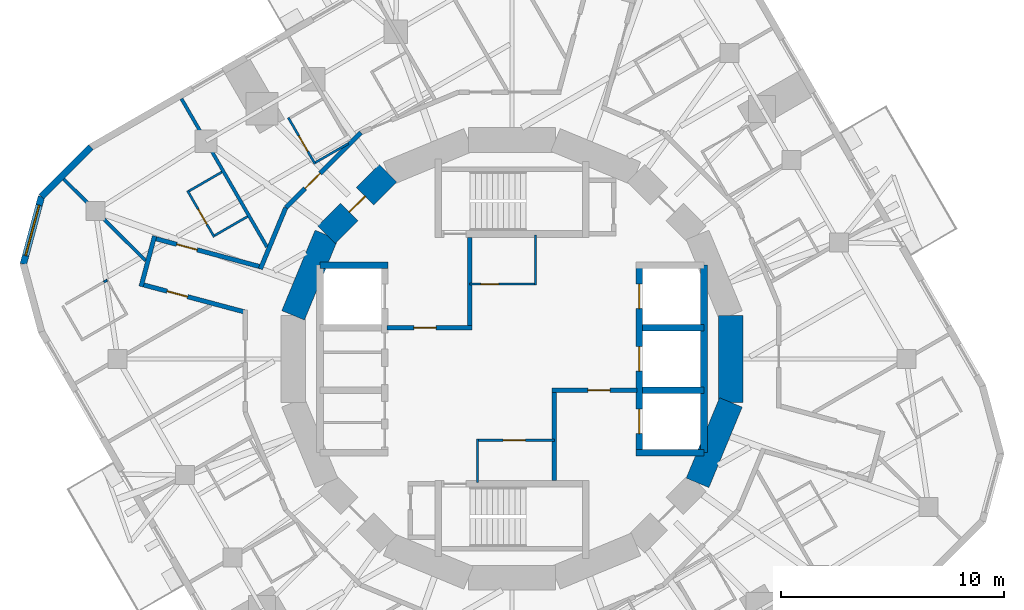
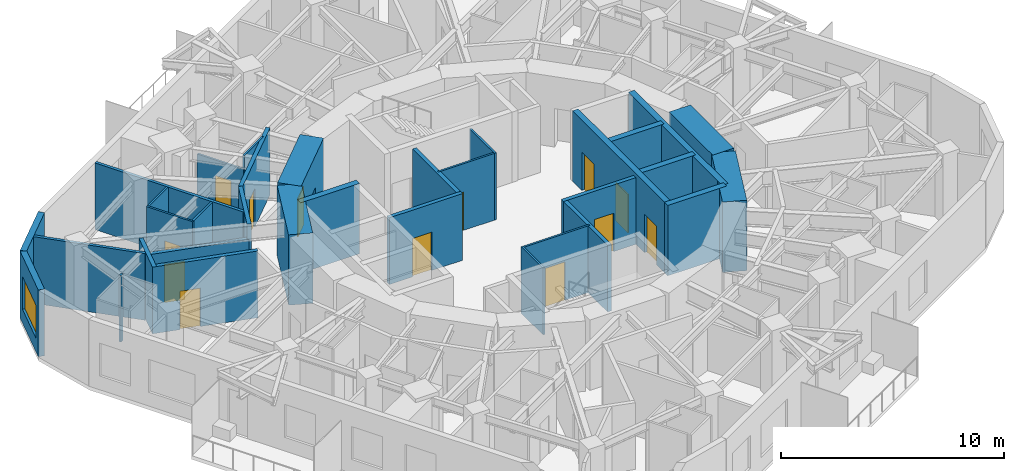
# One storey, part 6 of 11: 33 walls, 13 doors, 1 window, 14 openings.
"""IFC4 building model written with IfcOpenShell, lengths in metres."""

from ifc_helpers import new_model, si_unit, direction, frame, frame_2d, origin, place, context, subcontext, project, spatial, rectangle, extrude, material, layer, layer_set, type_object, element, fill, save


model = new_model("IFC4")

# Units and contexts
model_context = context("Model", 3, precision=1e-05, world=origin(), true_north=direction((0.0, 1.0)))
body_context = subcontext(model_context, "Body", "Model", "MODEL_VIEW")
ifc_project = project(units=[si_unit("LENGTHUNIT", "METRE"), si_unit("AREAUNIT", "SQUARE_METRE"), si_unit("VOLUMEUNIT", "CUBIC_METRE"), si_unit("PLANEANGLEUNIT", "RADIAN"), si_unit("MASSUNIT", "GRAM", prefix="KILO")], contexts=[model_context])

# Site, building, storey
site_placement = place(None, origin())
site = spatial("IfcSite", under=ifc_project, at=site_placement, CompositionType="ELEMENT")
building_placement = place(site_placement, origin())
building = spatial("IfcBuilding", under=site, at=building_placement, Name="Nakasero Lantern House", CompositionType="ELEMENT")
storey_placement = place(building_placement, frame((0.0, 0.0, 250.050048828125)))
storey = spatial("IfcBuildingStorey", under=building, at=storey_placement, Name="L61", CompositionType="ELEMENT", Elevation=250.050048828125)

# Wall, openings, doors
ifc_material_1 = material(Name="Concrete C50/60", Category="concrete")
ifc_layer_1 = layer(ifc_material_1, 0.300048828125)
ifc_layer_set_1 = layer_set([ifc_layer_1], Name="Core inner wall 300")
wall_type_1 = type_object("IfcWallType", Name="Core inner wall 300", PredefinedType="SHEAR", material=ifc_layer_set_1)
wall_1_placement = place(storey_placement, frame((5.699951171875, -4.199951171875, 0.0), z_axis=(0.0, 0.0, 1.0), x_axis=(0.0, 1.0, 0.0)))
wall_1 = element("IfcWall", 1, at=wall_1_placement, inside=storey, type_object=wall_type_1, Name="Core inner wall L61 LE", PredefinedType="SHEAR", context=body_context, shape_type="SweptSolid", body=[
    extrude(rectangle(XDim=8.39990234375, YDim=0.300048828125, at=frame_2d((4.199951171875, 0.0))), origin(), (0.0, 0.0, 1.0), 3.849853515625),
])
opening_1_placement = place(wall_1_placement, frame((0.85009765625, 0.0, 0.0)))
opening_1 = element("IfcOpeningElement", 2, at=opening_1_placement, cuts=wall_1, Name="Opening LD", PredefinedType="OPENING", context=body_context, shape_type="SweptSolid", body=[
    extrude(rectangle(XDim=1.10009765625, YDim=2.10009765625, at=frame_2d((0.550048828125, 1.050048828125))), frame((0.0, 0.169921875, 0.0), z_axis=(0.0, -1.0, 0.0), x_axis=(1.0, 0.0, 0.0)), (0.0, 0.0, 1.0), 0.340087890625),
])
opening_2_placement = place(wall_1_placement, frame((3.64990234375, 0.0, 0.0)))
opening_2 = element("IfcOpeningElement", 3, at=opening_2_placement, cuts=wall_1, Name="Opening LD", PredefinedType="OPENING", context=body_context, shape_type="SweptSolid", body=[
    extrude(rectangle(XDim=1.10009765625, YDim=2.10009765625, at=frame_2d((0.550048828125, 1.050048828125))), frame((0.0, 0.169921875, 0.0), z_axis=(0.0, -1.0, 0.0), x_axis=(1.0, 0.0, 0.0)), (0.0, 0.0, 1.0), 0.340087890625),
])
opening_3_placement = place(wall_1_placement, frame((6.449951171875, 0.0, 0.0)))
opening_3 = element("IfcOpeningElement", 4, at=opening_3_placement, cuts=wall_1, Name="Opening LD", PredefinedType="OPENING", context=body_context, shape_type="SweptSolid", body=[
    extrude(rectangle(XDim=1.10009765625, YDim=2.10009765625, at=frame_2d((0.550048828125, 1.050048828125))), frame((0.0, 0.169921875, 0.0), z_axis=(0.0, -1.0, 0.0), x_axis=(1.0, 0.0, 0.0)), (0.0, 0.0, 1.0), 0.340087890625),
])
ifc_material_2 = material(Name="Steel S355", Category="steel")
door_type_1 = type_object("IfcDoorType", Name="Lift landing door E120 1100", OperationType="SLIDING_TO_LEFT", PredefinedType="DOOR", material=ifc_material_2)
door_1_placement = place(opening_1_placement, origin())
door_1 = element("IfcDoor", 5, at=door_1_placement, inside=storey, type_object=door_type_1, Name="Lift landing door LE1", OperationType="SLIDING_TO_LEFT", OverallHeight=2.10009765625, OverallWidth=1.10009765625, PredefinedType="DOOR", context=body_context, shape_type="SweptSolid", body=[
    extrude(rectangle(XDim=1.10009765625, YDim=2.10009765625, at=frame_2d((0.550048828125, 1.050048828125))), frame((0.0, 0.02490234375, 0.0), z_axis=(0.0, -1.0, 0.0), x_axis=(1.0, 0.0, 0.0)), (0.0, 0.0, 1.0), 0.050048828125),
])
fill(opening_1, door_1)
door_2_placement = place(opening_2_placement, origin())
door_2 = element("IfcDoor", 6, at=door_2_placement, inside=storey, type_object=door_type_1, Name="Lift landing door LE2", OperationType="SLIDING_TO_LEFT", OverallHeight=2.10009765625, OverallWidth=1.10009765625, PredefinedType="DOOR", context=body_context, shape_type="SweptSolid", body=[
    extrude(rectangle(XDim=1.10009765625, YDim=2.10009765625, at=frame_2d((0.550048828125, 1.050048828125))), frame((0.0, 0.02490234375, 0.0), z_axis=(0.0, -1.0, 0.0), x_axis=(1.0, 0.0, 0.0)), (0.0, 0.0, 1.0), 0.050048828125),
])
fill(opening_2, door_2)
door_3_placement = place(opening_3_placement, origin())
door_3 = element("IfcDoor", 7, at=door_3_placement, inside=storey, type_object=door_type_1, Name="Lift landing door LE3", OperationType="SLIDING_TO_LEFT", OverallHeight=2.10009765625, OverallWidth=1.10009765625, PredefinedType="DOOR", context=body_context, shape_type="SweptSolid", body=[
    extrude(rectangle(XDim=1.10009765625, YDim=2.10009765625, at=frame_2d((0.550048828125, 1.050048828125))), frame((0.0, 0.02490234375, 0.0), z_axis=(0.0, -1.0, 0.0), x_axis=(1.0, 0.0, 0.0)), (0.0, 0.0, 1.0), 0.050048828125),
])
fill(opening_3, door_3)

# Walls
for number, where, z_axis, x_axis, name in (
    (8, (-8.60009765625, 4.199951171875, 0.0), (0.0, 0.0, 1.0), (1.0, 0.0, 0.0), "Core inner wall L61 LWN"),
    (9, (5.550048828125, -4.199951171875, 0.0), (0.0, 0.0, 1.0), (1.0, 0.0, 0.0), "Core inner wall L61 LES"),
):
    element("IfcWall", number, at=place(storey_placement, frame(where, z_axis=z_axis, x_axis=x_axis)), inside=storey, type_object=wall_type_1, Name=name, PredefinedType="SHEAR", context=body_context, shape_type="SweptSolid", body=[
        extrude(rectangle(XDim=3.050048828125, YDim=0.300048828125, at=frame_2d((1.52490234375, 0.0))), origin(), (0.0, 0.0, 1.0), 3.849853515625),
    ])
wall_2_placement = place(storey_placement, frame((8.60009765625, -4.199951171875, 0.0), z_axis=(0.0, 0.0, 1.0), x_axis=(0.0, 1.0, 0.0)))
element("IfcWall", 10, at=wall_2_placement, inside=storey, type_object=wall_type_1, Name="Core inner wall L61 LEB", PredefinedType="SHEAR", context=body_context, shape_type="SweptSolid", body=[
    extrude(rectangle(XDim=8.39990234375, YDim=0.300048828125, at=frame_2d((4.199951171875, 0.0))), origin(), (0.0, 0.0, 1.0), 3.849853515625),
])
for number, where, z_axis, x_axis, name in (
    (11, (5.85009765625, -1.39990234375, 0.0), (0.0, 0.0, 1.0), (1.0, 0.0, 0.0), "Core inner wall L61 LE1"),
    (12, (5.85009765625, 1.39990234375, 0.0), (0.0, 0.0, 1.0), (1.0, 0.0, 0.0), "Core inner wall L61 LE2"),
):
    element("IfcWall", number, at=place(storey_placement, frame(where, z_axis=z_axis, x_axis=x_axis)), inside=storey, type_object=wall_type_1, Name=name, PredefinedType="SHEAR", context=body_context, shape_type="SweptSolid", body=[
        extrude(rectangle(XDim=2.75, YDim=0.300048828125, at=frame_2d((1.375, 0.0))), origin(), (0.0, 0.0, 1.0), 3.849853515625),
    ])

# Wall, opening, door
ifc_material_3 = material(Name="Blockwork", Category="masonry")
ifc_layer_2 = layer(ifc_material_3, 0.10009765625)
ifc_layer_set_2 = layer_set([ifc_layer_2], Name="Core room wall 100")
wall_type_2 = type_object("IfcWallType", Name="Core room wall 100", PredefinedType="PARTITIONING", material=ifc_layer_set_2)
wall_3_placement = place(storey_placement, frame((-1.89990234375, 3.35009765625, 0.0), z_axis=(0.0, 0.0, 1.0), x_axis=(1.0, 0.0, 0.0)))
wall_3 = element("IfcWall", 13, at=wall_3_placement, inside=storey, type_object=wall_type_2, Name="Core room wall L61 CR-NES", PredefinedType="PARTITIONING", context=body_context, shape_type="SweptSolid", body=[
    extrude(rectangle(XDim=3.0, YDim=0.10009765625, at=frame_2d((1.5, 0.0))), origin(), (0.0, 0.0, 1.0), 3.64990234375),
])
opening_4_placement = place(wall_3_placement, frame((0.5, 0.0, 0.0)))
opening_4 = element("IfcOpeningElement", 14, at=opening_4_placement, cuts=wall_3, Name="Opening D15", PredefinedType="OPENING", context=body_context, shape_type="SweptSolid", body=[
    extrude(rectangle(XDim=0.800048828125, YDim=2.10009765625, at=frame_2d((0.39990234375, 1.050048828125))), frame((0.0, 0.070068359375, 0.0), z_axis=(0.0, -1.0, 0.0), x_axis=(1.0, 0.0, 0.0)), (0.0, 0.0, 1.0), 0.14013671875),
])
ifc_material_4 = material(Name="Timber C24", Category="wood")
door_type_2 = type_object("IfcDoorType", Name="Cleaner's store door FD30S 800", OperationType="SINGLE_SWING_LEFT", PredefinedType="DOOR", material=ifc_material_4)
door_4_placement = place(opening_4_placement, origin())
door_4 = element("IfcDoor", 15, at=door_4_placement, inside=storey, type_object=door_type_2, Name="Door L61 D-CR-NE", OperationType="SINGLE_SWING_LEFT", OverallHeight=2.10009765625, OverallWidth=0.800048828125, PredefinedType="DOOR", context=body_context, shape_type="SweptSolid", body=[
    extrude(rectangle(XDim=0.800048828125, YDim=2.10009765625, at=frame_2d((0.39990234375, 1.050048828125))), frame((0.0, 0.02490234375, 0.0), z_axis=(0.0, -1.0, 0.0), x_axis=(1.0, 0.0, 0.0)), (0.0, 0.0, 1.0), 0.050048828125),
])
fill(opening_4, door_4)

# Wall
wall_4_placement = place(storey_placement, frame((1.050048828125, 3.300048828125, 0.0), z_axis=(0.0, 0.0, 1.0), x_axis=(0.0, 1.0, 0.0)))
element("IfcWall", 16, at=wall_4_placement, inside=storey, type_object=wall_type_2, Name="Core room wall L61 CR-NEE", PredefinedType="PARTITIONING", context=body_context, shape_type="SweptSolid", body=[
    extrude(rectangle(XDim=2.25, YDim=0.10009765625, at=frame_2d((1.125, 0.0))), origin(), (0.0, 0.0, 1.0), 3.64990234375),
])

# Wall, opening, door
wall_5_placement = place(storey_placement, frame((-1.60009765625, -3.64990234375, 0.0), z_axis=(0.0, 0.0, 1.0), x_axis=(1.0, 0.0, 0.0)))
wall_5 = element("IfcWall", 17, at=wall_5_placement, inside=storey, type_object=wall_type_2, Name="Core room wall L61 CR-SWN", PredefinedType="PARTITIONING", context=body_context, shape_type="SweptSolid", body=[
    extrude(rectangle(XDim=3.5, YDim=0.10009765625, at=frame_2d((1.75, 0.0))), origin(), (0.0, 0.0, 1.0), 3.64990234375),
])
opening_5_placement = place(wall_5_placement, frame((1.199951171875, 0.0, 0.0)))
opening_5 = element("IfcOpeningElement", 18, at=opening_5_placement, cuts=wall_5, Name="Opening D07", PredefinedType="OPENING", context=body_context, shape_type="SweptSolid", body=[
    extrude(rectangle(XDim=1.0, YDim=2.10009765625, at=frame_2d((0.5, 1.050048828125))), frame((0.0, 0.070068359375, 0.0), z_axis=(0.0, -1.0, 0.0), x_axis=(1.0, 0.0, 0.0)), (0.0, 0.0, 1.0), 0.14013671875),
])
ifc_material_5 = material(Name="Timber C24", Category="wood")
door_type_3 = type_object("IfcDoorType", Name="Room door FD30S 1000", OperationType="SINGLE_SWING_LEFT", PredefinedType="DOOR", material=ifc_material_5)
door_5_placement = place(opening_5_placement, origin())
door_5 = element("IfcDoor", 19, at=door_5_placement, inside=storey, type_object=door_type_3, Name="Door L61 D-CR-SW", OperationType="SINGLE_SWING_LEFT", OverallHeight=2.10009765625, OverallWidth=1.0, PredefinedType="DOOR", context=body_context, shape_type="SweptSolid", body=[
    extrude(rectangle(XDim=1.0, YDim=2.10009765625, at=frame_2d((0.5, 1.050048828125))), frame((0.0, 0.02490234375, 0.0), z_axis=(0.0, -1.0, 0.0), x_axis=(1.0, 0.0, 0.0)), (0.0, 0.0, 1.0), 0.050048828125),
])
fill(opening_5, door_5)

# Wall
wall_6_placement = place(storey_placement, frame((-1.550048828125, -5.550048828125, 0.0), z_axis=(0.0, 0.0, 1.0), x_axis=(0.0, 1.0, 0.0)))
element("IfcWall", 20, at=wall_6_placement, inside=storey, type_object=wall_type_2, Name="Core room wall L61 CR-SWW", PredefinedType="PARTITIONING", context=body_context, shape_type="SweptSolid", body=[
    extrude(rectangle(XDim=1.949951171875, YDim=0.10009765625, at=frame_2d((0.97509765625, 0.0))), origin(), (0.0, 0.0, 1.0), 3.64990234375),
])

# Wall, opening, door
ifc_material_6 = material(Name="Concrete C50/60", Category="concrete")
ifc_layer_3 = layer(ifc_material_6, 1.10009765625)
ifc_layer_set_3 = layer_set([ifc_layer_3], Name="Core wall 1100")
wall_type_3 = type_object("IfcWallType", Name="Core wall 1100", PredefinedType="SHEAR", material=ifc_layer_set_3)
wall_7_placement = place(storey_placement, frame((-5.5556640625, 8.314697265625, 0.0), z_axis=(0.0, 0.0, 1.0), x_axis=(-0.707106781187, -0.707106781187, 0.0)))
wall_7 = element("IfcWall", 21, at=wall_7_placement, inside=storey, type_object=wall_type_3, Name="Core wall L61 facet 6", PredefinedType="SHEAR", context=body_context, shape_type="SweptSolid", body=[
    extrude(rectangle(XDim=3.90185546875, YDim=1.10009765625, at=frame_2d((1.950927734375, 0.0))), origin(), (0.0, 0.0, 1.0), 3.849853515625),
])
opening_6_placement = place(wall_7_placement, frame((1.450927734375, 0.0, 0.0)))
opening_6 = element("IfcOpeningElement", 22, at=opening_6_placement, cuts=wall_7, Name="Opening D05", PredefinedType="OPENING", context=body_context, shape_type="SweptSolid", body=[
    extrude(rectangle(XDim=1.0, YDim=2.10009765625, at=frame_2d((0.5, 1.050048828125))), frame((0.0, 0.570068359375, 0.0), z_axis=(0.0, -1.0, 0.0), x_axis=(1.0, 0.0, 0.0)), (0.0, 0.0, 1.0), 1.14013671875),
])
ifc_material_7 = material(Name="Timber C24", Category="wood")
door_type_4 = type_object("IfcDoorType", Name="Core door FD60S 1000", OperationType="SINGLE_SWING_LEFT", PredefinedType="DOOR", material=ifc_material_7)
door_6_placement = place(opening_6_placement, origin())
door_6 = element("IfcDoor", 23, at=door_6_placement, inside=storey, type_object=door_type_4, Name="Door L61 D-CORE06", OperationType="SINGLE_SWING_LEFT", OverallHeight=2.10009765625, OverallWidth=1.0, PredefinedType="DOOR", context=body_context, shape_type="SweptSolid", body=[
    extrude(rectangle(XDim=1.0, YDim=2.10009765625, at=frame_2d((0.5, 1.050048828125))), frame((0.0, 0.02490234375, 0.0), z_axis=(0.0, -1.0, 0.0), x_axis=(1.0, 0.0, 0.0)), (0.0, 0.0, 1.0), 0.050048828125),
])
fill(opening_6, door_6)

# Walls
for number, where, z_axis, x_axis, name in (
    (24, (-8.314697265625, 5.5556640625, 0.0), (0.0, 0.0, 1.0), (-0.382690736062, -0.923876507187, 0.0), "Core wall L61 facet 7"),
    (25, (8.314697265625, -5.5556640625, 0.0), (0.0, 0.0, 1.0), (0.382690736062, 0.923876507187, 0.0), "Core wall L61 facet 15"),
    (26, (9.807861328125, -1.950927734375, 0.0), (0.0, 0.0, 1.0), (0.0, 1.0, 0.0), "Core wall L61 facet 16"),
):
    element("IfcWall", number, at=place(storey_placement, frame(where, z_axis=z_axis, x_axis=x_axis)), inside=storey, type_object=wall_type_3, Name=name, PredefinedType="SHEAR", context=body_context, shape_type="SweptSolid", body=[
        extrude(rectangle(XDim=3.90185546875, YDim=1.10009765625, at=frame_2d((1.950927734375, 0.0))), origin(), (0.0, 0.0, 1.0), 3.849853515625),
    ])
ifc_material_8 = material(Name="Blockwork", Category="masonry")
ifc_layer_4 = layer(ifc_material_8, 0.199951171875)
ifc_layer_set_4 = layer_set([ifc_layer_4], Name="Corridor wall 200")
wall_type_4 = type_object("IfcWallType", Name="Corridor wall 200", PredefinedType="PARTITIONING", material=ifc_layer_set_4)
wall_8_placement = place(storey_placement, frame((-11.275634765625, 4.025634765625, 0.0), z_axis=(0.0, 0.0, 1.0), x_axis=(0.382656259044, 0.923890787601, 0.0)))
element("IfcWall", 27, at=wall_8_placement, inside=storey, type_object=wall_type_4, Name="Corridor wall L61 RC09a", PredefinedType="PARTITIONING", context=body_context, shape_type="SweptSolid", body=[
    extrude(rectangle(XDim=2.974365234375, YDim=0.199951171875, at=frame_2d((1.4873046875, 0.0))), origin(), (0.0, 0.0, 1.0), 3.64990234375),
])

# Wall, opening, door
wall_9_placement = place(storey_placement, frame((-10.137451171875, 6.773681640625, 0.0), z_axis=(0.0, 0.0, 1.0), x_axis=(0.707106781187, 0.707106781187, 0.0)))
wall_9 = element("IfcWall", 28, at=wall_9_placement, inside=storey, type_object=wall_type_4, Name="Corridor wall L61 RC10a", PredefinedType="PARTITIONING", context=body_context, shape_type="SweptSolid", body=[
    extrude(rectangle(XDim=4.757080078125, YDim=0.199951171875, at=frame_2d((2.37841796875, 0.0))), origin(), (0.0, 0.0, 1.0), 3.64990234375),
])
opening_7_placement = place(wall_9_placement, frame((1.219970703125, 0.0, 0.0)))
opening_7 = element("IfcOpeningElement", 29, at=opening_7_placement, cuts=wall_9, Name="Opening D01", PredefinedType="OPENING", context=body_context, shape_type="SweptSolid", body=[
    extrude(rectangle(XDim=0.949951171875, YDim=2.10009765625, at=frame_2d((0.47509765625, 1.050048828125))), frame((0.0, 0.119873046875, 0.0), z_axis=(0.0, -1.0, 0.0), x_axis=(1.0, 0.0, 0.0)), (0.0, 0.0, 1.0), 0.239990234375),
])
ifc_material_9 = material(Name="Timber C24", Category="wood")
door_type_5 = type_object("IfcDoorType", Name="Bedroom door FD30S 950", OperationType="SINGLE_SWING_LEFT", PredefinedType="DOOR", material=ifc_material_9)
door_7_placement = place(opening_7_placement, origin())
door_7 = element("IfcDoor", 30, at=door_7_placement, inside=storey, type_object=door_type_5, Name="Door L61 D1-04", OperationType="SINGLE_SWING_LEFT", OverallHeight=2.10009765625, OverallWidth=0.949951171875, PredefinedType="DOOR", context=body_context, shape_type="SweptSolid", body=[
    extrude(rectangle(XDim=0.949951171875, YDim=2.10009765625, at=frame_2d((0.47509765625, 1.050048828125))), frame((0.0, 0.02490234375, 0.0), z_axis=(0.0, -1.0, 0.0), x_axis=(1.0, 0.0, 0.0)), (0.0, 0.0, 1.0), 0.050048828125),
])
fill(opening_7, door_7)

wall_10_placement = place(storey_placement, frame((-11.237060546875, 4.11865234375, 0.0), z_axis=(0.0, 0.0, 1.0), x_axis=(-0.965923565769, 0.258827481333, 0.0)))
wall_10 = element("IfcWall", 31, at=wall_10_placement, inside=storey, type_object=wall_type_4, Name="Corridor wall L61 SP1a", PredefinedType="PARTITIONING", context=body_context, shape_type="SweptSolid", body=[
    extrude(rectangle(XDim=5.07373046875, YDim=0.199951171875, at=frame_2d((2.536865234375, 0.0))), origin(), (0.0, 0.0, 1.0), 2.809326171875),
])
opening_8_placement = place(wall_10_placement, frame((2.969970703125, 0.0, 0.0)))
opening_8 = element("IfcOpeningElement", 32, at=opening_8_placement, cuts=wall_10, Name="Opening D01", PredefinedType="OPENING", context=body_context, shape_type="SweptSolid", body=[
    extrude(rectangle(XDim=0.949951171875, YDim=2.10009765625, at=frame_2d((0.47509765625, 1.050048828125))), frame((0.0, 0.119873046875, 0.0), z_axis=(0.0, -1.0, 0.0), x_axis=(1.0, 0.0, 0.0)), (0.0, 0.0, 1.0), 0.239990234375),
])
door_8_placement = place(opening_8_placement, origin())
door_8 = element("IfcDoor", 33, at=door_8_placement, inside=storey, type_object=door_type_5, Name="Door L61 D1-06", OperationType="SINGLE_SWING_RIGHT", OverallHeight=2.10009765625, OverallWidth=0.949951171875, PredefinedType="DOOR", context=body_context, shape_type="SweptSolid", body=[
    extrude(rectangle(XDim=0.949951171875, YDim=2.10009765625, at=frame_2d((0.47509765625, 1.050048828125))), frame((0.0, 0.02490234375, 0.0), z_axis=(0.0, -1.0, 0.0), x_axis=(1.0, 0.0, 0.0)), (0.0, 0.0, 1.0), 0.050048828125),
])
fill(opening_8, door_8)

wall_11_placement = place(storey_placement, frame((-11.957763671875, 2.096435546875, 0.0), z_axis=(0.0, 0.0, 1.0), x_axis=(-0.965932486884, 0.258794186145, 0.0)))
wall_11 = element("IfcWall", 34, at=wall_11_placement, inside=storey, type_object=wall_type_4, Name="Corridor wall L61 SP1b", PredefinedType="PARTITIONING", context=body_context, shape_type="SweptSolid", body=[
    extrude(rectangle(XDim=4.90087890625, YDim=0.199951171875, at=frame_2d((2.450439453125, 0.0))), origin(), (0.0, 0.0, 1.0), 3.64990234375),
])
opening_9_placement = place(wall_11_placement, frame((2.669921875, 0.0, 0.0)))
opening_9 = element("IfcOpeningElement", 35, at=opening_9_placement, cuts=wall_11, Name="Opening D01", PredefinedType="OPENING", context=body_context, shape_type="SweptSolid", body=[
    extrude(rectangle(XDim=0.949951171875, YDim=2.10009765625, at=frame_2d((0.47509765625, 1.050048828125))), frame((0.0, 0.119873046875, 0.0), z_axis=(0.0, -1.0, 0.0), x_axis=(1.0, 0.0, 0.0)), (0.0, 0.0, 1.0), 0.239990234375),
])
door_9_placement = place(opening_9_placement, origin())
door_9 = element("IfcDoor", 36, at=door_9_placement, inside=storey, type_object=door_type_5, Name="Door L61 D2-00", OperationType="SINGLE_SWING_RIGHT", OverallHeight=2.10009765625, OverallWidth=0.949951171875, PredefinedType="DOOR", context=body_context, shape_type="SweptSolid", body=[
    extrude(rectangle(XDim=0.949951171875, YDim=2.10009765625, at=frame_2d((0.47509765625, 1.050048828125))), frame((0.0, 0.02490234375, 0.0), z_axis=(0.0, -1.0, 0.0), x_axis=(1.0, 0.0, 0.0)), (0.0, 0.0, 1.0), 0.050048828125),
])
fill(opening_9, door_9)

# Wall
wall_12_placement = place(storey_placement, frame((-16.015380859375, 5.502685546875, 0.0), z_axis=(0.0, 0.0, 1.0), x_axis=(-0.258850815837, -0.965917312786, 0.0)))
element("IfcWall", 37, at=wall_12_placement, inside=storey, type_object=wall_type_4, Name="Corridor wall L61 SP1e", PredefinedType="PARTITIONING", context=body_context, shape_type="SweptSolid", body=[
    extrude(rectangle(XDim=2.340087890625, YDim=0.199951171875, at=frame_2d((1.169921875, 0.0))), origin(), (0.0, 0.0, 1.0), 3.64990234375),
])

# Wall, opening, door
ifc_material_10 = material(Name="Blockwork", Category="masonry")
ifc_layer_5 = layer(ifc_material_10, 0.10009765625)
ifc_layer_set_5 = layer_set([ifc_layer_5], Name="En-suite wall 100")
wall_type_5 = type_object("IfcWallType", Name="En-suite wall 100", PredefinedType="PARTITIONING", material=ifc_layer_set_5)
wall_13_placement = place(storey_placement, frame((-8.82421875, 8.732177734375, 0.0), z_axis=(0.0, 0.0, 1.0), x_axis=(-0.500001309137, 0.866024647952, 0.0)))
wall_13 = element("IfcWall", 38, at=wall_13_placement, inside=storey, type_object=wall_type_5, Name="En-suite wall L61 ES1-04", PredefinedType="PARTITIONING", context=body_context, shape_type="SweptSolid", body=[
    extrude(rectangle(XDim=2.39990234375, YDim=0.10009765625, at=frame_2d((1.199951171875, 0.0))), origin(), (0.0, 0.0, 1.0), 2.95703125),
])
opening_10_placement = place(wall_13_placement, frame((0.64990234375, 0.0, 0.0)))
opening_10 = element("IfcOpeningElement", 39, at=opening_10_placement, cuts=wall_13, Name="Opening D02", PredefinedType="OPENING", context=body_context, shape_type="SweptSolid", body=[
    extrude(rectangle(XDim=0.800048828125, YDim=2.10009765625, at=frame_2d((0.39990234375, 1.050048828125))), frame((0.0, 0.070068359375, 0.0), z_axis=(0.0, -1.0, 0.0), x_axis=(1.0, 0.0, 0.0)), (0.0, 0.0, 1.0), 0.14013671875),
])
ifc_material_11 = material(Name="Timber C24", Category="wood")
door_type_6 = type_object("IfcDoorType", Name="En-suite door 800", OperationType="SINGLE_SWING_RIGHT", PredefinedType="DOOR", material=ifc_material_11)
door_10_placement = place(opening_10_placement, origin())
door_10 = element("IfcDoor", 40, at=door_10_placement, inside=storey, type_object=door_type_6, Name="Door L61 DE1-04", OperationType="SINGLE_SWING_LEFT", OverallHeight=2.10009765625, OverallWidth=0.800048828125, PredefinedType="DOOR", context=body_context, shape_type="SweptSolid", body=[
    extrude(rectangle(XDim=0.800048828125, YDim=2.10009765625, at=frame_2d((0.39990234375, 1.050048828125))), frame((0.0, 0.02490234375, 0.0), z_axis=(0.0, -1.0, 0.0), x_axis=(1.0, 0.0, 0.0)), (0.0, 0.0, 1.0), 0.050048828125),
])
fill(opening_10, door_10)

# Wall
wall_14_placement = place(storey_placement, frame((-7.333740234375, 9.650390625, 0.0), z_axis=(0.0, 0.0, 1.0), x_axis=(-0.86605165483, -0.499954529098, 0.0)))
element("IfcWall", 41, at=wall_14_placement, inside=storey, type_object=wall_type_5, Name="En-suite wall L61 EI1-04", PredefinedType="PARTITIONING", context=body_context, shape_type="SweptSolid", body=[
    extrude(rectangle(XDim=1.699951171875, YDim=0.10009765625, at=frame_2d((0.85009765625, 0.0))), origin(), (0.0, 0.0, 1.0), 3.64990234375),
])

# Wall, opening, door
wall_15_placement = place(storey_placement, frame((-13.342041015625, 5.46044921875, 0.0), z_axis=(0.0, 0.0, 1.0), x_axis=(-0.500033551112, 0.866006032174, 0.0)))
wall_15 = element("IfcWall", 42, at=wall_15_placement, inside=storey, type_object=wall_type_5, Name="En-suite wall L61 ES1-06", PredefinedType="PARTITIONING", context=body_context, shape_type="SweptSolid", body=[
    extrude(rectangle(XDim=2.400146484375, YDim=0.10009765625, at=frame_2d((1.2001953125, 0.0))), origin(), (0.0, 0.0, 1.0), 3.64990234375),
])
opening_11_placement = place(wall_15_placement, frame((0.64990234375, 0.0, 0.0)))
opening_11 = element("IfcOpeningElement", 43, at=opening_11_placement, cuts=wall_15, Name="Opening D02", PredefinedType="OPENING", context=body_context, shape_type="SweptSolid", body=[
    extrude(rectangle(XDim=0.800048828125, YDim=2.10009765625, at=frame_2d((0.39990234375, 1.050048828125))), frame((0.0, 0.070068359375, 0.0), z_axis=(0.0, -1.0, 0.0), x_axis=(1.0, 0.0, 0.0)), (0.0, 0.0, 1.0), 0.14013671875),
])
door_11_placement = place(opening_11_placement, origin())
door_11 = element("IfcDoor", 44, at=door_11_placement, inside=storey, type_object=door_type_6, Name="Door L61 DE1-06", OperationType="SINGLE_SWING_LEFT", OverallHeight=2.10009765625, OverallWidth=0.800048828125, PredefinedType="DOOR", context=body_context, shape_type="SweptSolid", body=[
    extrude(rectangle(XDim=0.800048828125, YDim=2.10009765625, at=frame_2d((0.39990234375, 1.050048828125))), frame((0.0, 0.02490234375, 0.0), z_axis=(0.0, -1.0, 0.0), x_axis=(1.0, 0.0, 0.0)), (0.0, 0.0, 1.0), 0.050048828125),
])
fill(opening_11, door_11)

# Walls
for number, where, z_axis, x_axis, name in (
    (45, (-13.001708984375, 8.37060546875, 0.0), (0.0, 0.0, 1.0), (-0.86605165483, -0.499954529098, 0.0), "En-suite wall L61 EE1-06"),
    (46, (-11.8515625, 6.37890625, 0.0), (0.0, 0.0, 1.0), (-0.865989465428, -0.500062241894, 0.0), "En-suite wall L61 EI1-06"),
):
    element("IfcWall", number, at=place(storey_placement, frame(where, z_axis=z_axis, x_axis=x_axis)), inside=storey, type_object=wall_type_5, Name=name, PredefinedType="PARTITIONING", context=body_context, shape_type="SweptSolid", body=[
        extrude(rectangle(XDim=1.699951171875, YDim=0.10009765625, at=frame_2d((0.85009765625, 0.0))), origin(), (0.0, 0.0, 1.0), 3.64990234375),
    ])
wall_16_placement = place(storey_placement, frame((-18.1435546875, 3.525634765625, 0.0), z_axis=(0.0, 0.0, 1.0), x_axis=(-0.865982457891, -0.500074377092, 0.0)))
element("IfcWall", 47, at=wall_16_placement, inside=storey, type_object=wall_type_5, Name="En-suite wall L61 EI2-00R0", PredefinedType="PARTITIONING", context=body_context, shape_type="SweptSolid", body=[
    extrude(rectangle(XDim=0.16015625, YDim=0.10009765625, at=frame_2d((0.080078125, 0.0))), origin(), (0.0, 0.0, 1.0), 3.64990234375),
])
ifc_material_12 = material(Name="Aluminium rainscreen on blockwork", Category="masonry")
ifc_layer_6 = layer(ifc_material_12, 0.300048828125)
ifc_layer_set_6 = layer_set([ifc_layer_6], Name="Facade wall 300")
wall_type_6 = type_object("IfcWallType", Name="Facade wall 300", PredefinedType="SOLIDWALL", material=ifc_layer_set_6)
wall_17_placement = place(storey_placement, frame((-18.870849609375, 9.4853515625, 0.0), z_axis=(0.0, 0.0, 1.0), x_axis=(-0.707145758492, -0.707067801733, 0.0)))
element("IfcWall", 48, at=wall_17_placement, inside=storey, type_object=wall_type_6, Name="Facade wall L61 FW1C1", PredefinedType="SOLIDWALL", context=body_context, shape_type="SweptSolid", body=[
    extrude(rectangle(XDim=3.1318359375, YDim=0.300048828125, at=frame_2d((1.56591796875, 0.0))), origin(), (0.0, 0.0, 1.0), 3.64990234375),
])

# Wall, opening, window
wall_18_placement = place(storey_placement, frame((-21.08544921875, 7.27099609375, 0.0), z_axis=(0.0, 0.0, 1.0), x_axis=(-0.258807521156, -0.965928914048, 0.0)))
wall_18 = element("IfcWall", 49, at=wall_18_placement, inside=storey, type_object=wall_type_6, Name="Facade wall L61 FW1C2", PredefinedType="SOLIDWALL", context=body_context, shape_type="SweptSolid", body=[
    extrude(rectangle(XDim=3.1318359375, YDim=0.300048828125, at=frame_2d((1.56591796875, 0.0))), origin(), (0.0, 0.0, 1.0), 3.64990234375),
])
opening_12_placement = place(wall_18_placement, frame((0.39990234375, 0.0, 0.75)))
opening_12 = element("IfcOpeningElement", 50, at=opening_12_placement, cuts=wall_18, Name="Opening W223", PredefinedType="OPENING", context=body_context, shape_type="SweptSolid", body=[
    extrude(rectangle(XDim=2.33203125, YDim=1.800048828125, at=frame_2d((1.166015625, 0.89990234375))), frame((0.0, 0.169921875, 0.0), z_axis=(0.0, -1.0, 0.0), x_axis=(1.0, 0.0, 0.0)), (0.0, 0.0, 1.0), 0.340087890625),
])
ifc_material_13 = material(Name="Aluminium 6063-T6 and glass", Category="aluminium")
window_type = type_object("IfcWindowType", Name="Corner window 2332x1800", PartitioningType="SINGLE_PANEL", PredefinedType="WINDOW", material=ifc_material_13)
window_placement = place(opening_12_placement, origin())
window = element("IfcWindow", 51, at=window_placement, inside=storey, type_object=window_type, Name="Window L61 WC1", OverallHeight=1.800048828125, OverallWidth=2.33203125, PartitioningType="SINGLE_PANEL", PredefinedType="WINDOW", context=body_context, shape_type="SweptSolid", body=[
    extrude(rectangle(XDim=2.33203125, YDim=1.800048828125, at=frame_2d((1.166015625, 0.89990234375))), frame((0.0, 0.030029296875, 0.0), z_axis=(0.0, -1.0, 0.0), x_axis=(1.0, 0.0, 0.0)), (0.0, 0.0, 1.0), 0.06005859375),
])
fill(opening_12, window)

# Wall, opening, door
ifc_material_14 = material(Name="Blockwork", Category="masonry")
ifc_layer_7 = layer(ifc_material_14, 0.199951171875)
ifc_layer_set_7 = layer_set([ifc_layer_7], Name="Fire lobby wall 200")
wall_type_7 = type_object("IfcWallType", Name="Fire lobby wall 200", PredefinedType="PARTITIONING", material=ifc_layer_set_7)
wall_19_placement = place(storey_placement, frame((-5.60009765625, 1.39990234375, 0.0), z_axis=(0.0, 0.0, 1.0), x_axis=(1.0, 0.0, 0.0)))
wall_19 = element("IfcWall", 52, at=wall_19_placement, inside=storey, type_object=wall_type_7, Name="Fire lobby wall L61 W-FL1S", PredefinedType="PARTITIONING", context=body_context, shape_type="SweptSolid", body=[
    extrude(rectangle(XDim=3.800048828125, YDim=0.199951171875, at=frame_2d((1.89990234375, 0.0))), origin(), (0.0, 0.0, 1.0), 3.64990234375),
])
opening_13_placement = place(wall_19_placement, frame((1.199951171875, 0.0, 0.0)))
opening_13 = element("IfcOpeningElement", 53, at=opening_13_placement, cuts=wall_19, Name="Opening D05", PredefinedType="OPENING", context=body_context, shape_type="SweptSolid", body=[
    extrude(rectangle(XDim=1.0, YDim=2.10009765625, at=frame_2d((0.5, 1.050048828125))), frame((0.0, 0.119873046875, 0.0), z_axis=(0.0, -1.0, 0.0), x_axis=(1.0, 0.0, 0.0)), (0.0, 0.0, 1.0), 0.239990234375),
])
door_12_placement = place(opening_13_placement, origin())
door_12 = element("IfcDoor", 54, at=door_12_placement, inside=storey, type_object=door_type_4, Name="Door L61 D-FL1", OperationType="SINGLE_SWING_LEFT", OverallHeight=2.10009765625, OverallWidth=1.0, PredefinedType="DOOR", context=body_context, shape_type="SweptSolid", body=[
    extrude(rectangle(XDim=1.0, YDim=2.10009765625, at=frame_2d((0.5, 1.050048828125))), frame((0.0, 0.02490234375, 0.0), z_axis=(0.0, -1.0, 0.0), x_axis=(1.0, 0.0, 0.0)), (0.0, 0.0, 1.0), 0.050048828125),
])
fill(opening_13, door_12)

# Wall
wall_20_placement = place(storey_placement, frame((-1.89990234375, 1.5, 0.0), z_axis=(0.0, 0.0, 1.0), x_axis=(0.0, 1.0, 0.0)))
element("IfcWall", 55, at=wall_20_placement, inside=storey, type_object=wall_type_7, Name="Fire lobby wall L61 W-FL1E", PredefinedType="PARTITIONING", context=body_context, shape_type="SweptSolid", body=[
    extrude(rectangle(XDim=3.949951171875, YDim=0.199951171875, at=frame_2d((1.97509765625, 0.0))), origin(), (0.0, 0.0, 1.0), 3.64990234375),
])

# Wall, opening, door
wall_21_placement = place(storey_placement, frame((5.60009765625, -1.39990234375, 0.0), z_axis=(0.0, 0.0, 1.0), x_axis=(-1.0, 0.0, 0.0)))
wall_21 = element("IfcWall", 56, at=wall_21_placement, inside=storey, type_object=wall_type_7, Name="Fire lobby wall L61 W-FL2N", PredefinedType="PARTITIONING", context=body_context, shape_type="SweptSolid", body=[
    extrude(rectangle(XDim=3.800048828125, YDim=0.199951171875, at=frame_2d((1.89990234375, 0.0))), origin(), (0.0, 0.0, 1.0), 3.64990234375),
])
opening_14_placement = place(wall_21_placement, frame((1.199951171875, 0.0, 0.0)))
opening_14 = element("IfcOpeningElement", 57, at=opening_14_placement, cuts=wall_21, Name="Opening D05", PredefinedType="OPENING", context=body_context, shape_type="SweptSolid", body=[
    extrude(rectangle(XDim=1.0, YDim=2.10009765625, at=frame_2d((0.5, 1.050048828125))), frame((0.0, 0.119873046875, 0.0), z_axis=(0.0, -1.0, 0.0), x_axis=(1.0, 0.0, 0.0)), (0.0, 0.0, 1.0), 0.239990234375),
])
door_13_placement = place(opening_14_placement, origin())
door_13 = element("IfcDoor", 58, at=door_13_placement, inside=storey, type_object=door_type_4, Name="Door L61 D-FL2", OperationType="SINGLE_SWING_LEFT", OverallHeight=2.10009765625, OverallWidth=1.0, PredefinedType="DOOR", context=body_context, shape_type="SweptSolid", body=[
    extrude(rectangle(XDim=1.0, YDim=2.10009765625, at=frame_2d((0.5, 1.050048828125))), frame((0.0, 0.02490234375, 0.0), z_axis=(0.0, -1.0, 0.0), x_axis=(1.0, 0.0, 0.0)), (0.0, 0.0, 1.0), 0.050048828125),
])
fill(opening_14, door_13)

# Walls
wall_22_placement = place(storey_placement, frame((1.89990234375, -1.5, 0.0), z_axis=(0.0, 0.0, 1.0), x_axis=(0.0, -1.0, 0.0)))
element("IfcWall", 59, at=wall_22_placement, inside=storey, type_object=wall_type_7, Name="Fire lobby wall L61 W-FL2W", PredefinedType="PARTITIONING", context=body_context, shape_type="SweptSolid", body=[
    extrude(rectangle(XDim=3.949951171875, YDim=0.199951171875, at=frame_2d((1.97509765625, 0.0))), origin(), (0.0, 0.0, 1.0), 3.64990234375),
])
ifc_material_15 = material(Name="Blockwork", Category="masonry")
ifc_layer_8 = layer(ifc_material_15, 0.14990234375)
ifc_layer_set_8 = layer_set([ifc_layer_8], Name="Party wall 150")
wall_type_8 = type_object("IfcWallType", Name="Party wall 150", PredefinedType="PARTITIONING", material=ifc_layer_set_8)
wall_23_placement = place(storey_placement, frame((-10.9755859375, 5.011474609375, 0.0), z_axis=(0.0, 0.0, 1.0), x_axis=(-0.499985976588, 0.866033500054, 0.0)))
element("IfcWall", 60, at=wall_23_placement, inside=storey, type_object=wall_type_8, Name="Party wall L61 PW1-06", PredefinedType="PARTITIONING", context=body_context, shape_type="SweptSolid", body=[
    extrude(rectangle(XDim=7.672119140625, YDim=0.14990234375, at=frame_2d((3.8359375, 0.0))), origin(), (0.0, 0.0, 1.0), 3.64990234375),
])
wall_24_placement = place(storey_placement, frame((-16.414794921875, 4.3984375, 0.0), z_axis=(0.0, 0.0, 1.0), x_axis=(-0.708660804635, 0.705549334897, 0.0)))
element("IfcWall", 61, at=wall_24_placement, inside=storey, type_object=wall_type_8, Name="Party wall L61 PW2-00", PredefinedType="PARTITIONING", context=body_context, shape_type="SweptSolid", body=[
    extrude(rectangle(XDim=5.1787109375, YDim=0.14990234375, at=frame_2d((2.58935546875, 0.0))), origin(), (0.0, 0.0, 1.0), 3.64990234375),
])

save(model, "model.ifc")
